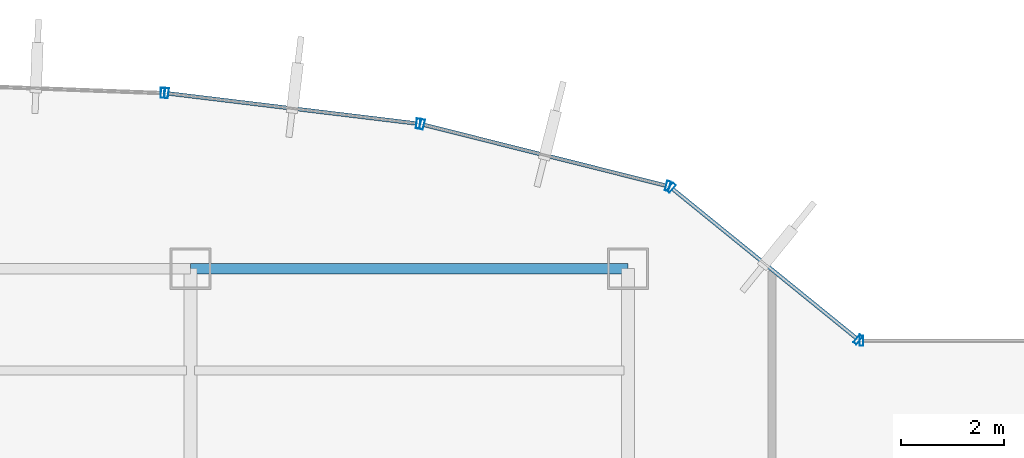
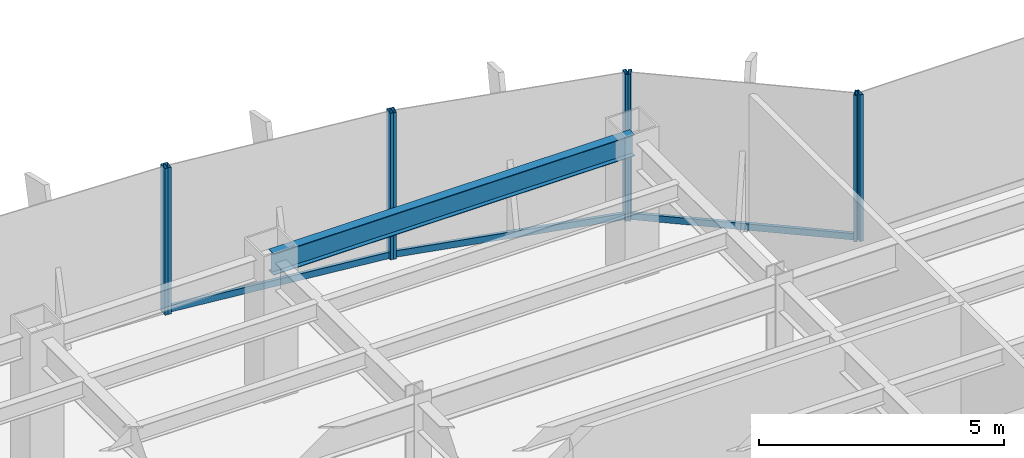
# One storey, part 18 of 26: 11 members, 1 beam, 5 elements without a shape of their own.
"""IFC4 building model written with IfcOpenShell, lengths in metres."""

from ifc_helpers import new_model, si_unit, derived_unit, direction, frame, origin, origin_2d, place, context, subcontext, project, spatial, hollow_rectangle, i_section, extrude, source, transform, mapped, material, material_profile, profile_set, type_object, element, aggregate, save


model = new_model("IFC4")

# Units and contexts
model_context = context("Model", 3, precision=1e-05, world=origin(), true_north=direction((0.0, 1.0)))
body_context = subcontext(model_context, "Body", "Model", "MODEL_VIEW")
ifc_project = project(units=[si_unit("LENGTHUNIT", "METRE"), si_unit("AREAUNIT", "SQUARE_METRE"), si_unit("VOLUMEUNIT", "CUBIC_METRE"), si_unit("PLANEANGLEUNIT", "RADIAN"), si_unit("MASSUNIT", "GRAM", prefix="KILO"), derived_unit("THERMALTRANSMITTANCEUNIT", [(si_unit("POWERUNIT", "WATT"), 1), (si_unit("LENGTHUNIT", "METRE"), -2), (si_unit("THERMODYNAMICTEMPERATUREUNIT", "KELVIN"), -1)])], contexts=[model_context])

# Site, building, storey
site_placement = place(None, origin())
site = spatial("IfcSite", under=ifc_project, at=site_placement, CompositionType="ELEMENT")
building_placement = place(site_placement, origin())
building = spatial("IfcBuilding", under=site, at=building_placement, Name="Skarnbrae Concourse Arena and Tower", CompositionType="ELEMENT")
storey_placement = place(building_placement, frame((0.0, 0.0, 95.949951171875)))
storey = spatial("IfcBuildingStorey", under=building, at=storey_placement, Name="L23", CompositionType="ELEMENT", Elevation=95.949951171875)

# Beam
ifc_material_1 = material(Name="Steel CSA G40.21 350W", Category="steel")
ifc_material_profile_1 = material_profile(ifc_material_1, i_section(OverallWidth=0.208984375, OverallDepth=0.532958984375, WebThickness=0.01025390625, FlangeThickness=0.015625, at=origin_2d()), Name="W530X92")
ifc_profile_set_1 = profile_set([ifc_material_profile_1], Name="Steel CSA G40.21 350W")
beam_type = type_object("IfcBeamType", Name="BM-SPAN-W530X92", PredefinedType="SPANDREL", material=ifc_profile_set_1)
shared_shape_1 = source(origin(), body_context, "Body", "SweptSolid", [
    extrude(i_section(OverallWidth=0.208984375, OverallDepth=0.532958984375, WebThickness=0.01025390625, FlangeThickness=0.015625, at=origin_2d()), origin(), (0.0, 0.0, 1.0), 8.5),
])
beam_placement = place(storey_placement, frame((33.5, 40.39990234375, 3.133544921875), z_axis=(1.0, 0.0, 0.0), x_axis=(0.0, 1.0, 0.0)))
element("IfcBeam", 1, at=beam_placement, inside=storey, type_object=beam_type, Name="L23 Perimeter spandrel Y40.4-4", PredefinedType="SPANDREL", context=body_context, shape_type="MappedRepresentation", body=[
    mapped(shared_shape_1, transform((0.0, 0.0, 0.0))),
])

# Curtain wall, member
ifc_material_2 = material(Name="Bronze anodised aluminium 6063-T6", Category="aluminium")
curtain_wall_type = type_object("IfcCurtainWallType", Name="CW-SYS-04-MIDZONE", PredefinedType="USERDEFINED", material=ifc_material_2)
curtain_wall_1_placement = place(storey_placement, origin())
curtain_wall_1 = element("IfcCurtainWall", 2, at=curtain_wall_1_placement, inside=storey, type_object=curtain_wall_type, Name="L23 Unitised curtain wall CW-L23-E07", ObjectType="UNITISED CURTAIN WALL", PredefinedType="USERDEFINED")
ifc_material_profile_2 = material_profile(ifc_material_2, hollow_rectangle(XDim=0.074951171875, YDim=0.195068359375, WallThickness=0.00439453125, at=origin_2d()), Name="ALU-MULL-75X195")
ifc_profile_set_2 = profile_set([ifc_material_profile_2], Name="Bronze anodised aluminium 6063-T6")
member_type_1 = type_object("IfcMemberType", Name="CWM-CW-04", PredefinedType="MULLION", material=ifc_profile_set_2)
shared_shape_2 = source(origin(), body_context, "Body", "SweptSolid", [
    extrude(hollow_rectangle(XDim=0.074951171875, YDim=0.195068359375, WallThickness=0.00439453125, at=origin_2d()), origin(), (0.0, 0.0, 1.0), 3.650146484375),
])
member_1_placement = place(storey_placement, frame((46.53759765625, 39.0, 0.0), z_axis=(0.0, 0.0, 1.0), x_axis=(-1.0, 0.0, 0.0)))
member_1 = element("IfcMember", 3, at=member_1_placement, type_object=member_type_1, Name="CW-L23-E07 Mullion 2", PredefinedType="MULLION", context=body_context, shape_type="MappedRepresentation", body=[
    mapped(shared_shape_2, transform((0.0, 0.0, 0.0))),
])
aggregate(curtain_wall_1, [member_1])

# Curtain wall, members
curtain_wall_2_placement = place(storey_placement, origin())
curtain_wall_2 = element("IfcCurtainWall", 4, at=curtain_wall_2_placement, inside=storey, type_object=curtain_wall_type, Name="L23 Unitised curtain wall CW-L23-E08", ObjectType="UNITISED CURTAIN WALL", PredefinedType="USERDEFINED")
member_2_placement = place(storey_placement, frame((46.470947265625, 39.023681640625, 0.0), z_axis=(0.0, 0.0, 1.0), x_axis=(-0.776241200471, 0.630436038542, 0.0)))
member_2 = element("IfcMember", 5, at=member_2_placement, type_object=member_type_1, Name="CW-L23-E08 Mullion 1", PredefinedType="MULLION", context=body_context, shape_type="MappedRepresentation", body=[
    mapped(shared_shape_2, transform((0.0, 0.0, 0.0))),
])
member_3_placement = place(storey_placement, frame((42.840087890625, 41.972412109375, 0.0), z_axis=(0.0, 0.0, 1.0), x_axis=(-0.776241200471, 0.630436038542, 0.0)))
member_3 = element("IfcMember", 6, at=member_3_placement, type_object=member_type_1, Name="CW-L23-E08 Mullion 2", PredefinedType="MULLION", context=body_context, shape_type="MappedRepresentation", body=[
    mapped(shared_shape_2, transform((0.0, 0.0, 0.0))),
])

curtain_wall_3_placement = place(storey_placement, origin())
curtain_wall_3 = element("IfcCurtainWall", 7, at=curtain_wall_3_placement, inside=storey, type_object=curtain_wall_type, Name="L23 Unitised curtain wall CW-L23-E09", ObjectType="UNITISED CURTAIN WALL", PredefinedType="USERDEFINED")
member_4_placement = place(storey_placement, frame((42.774658203125, 42.005126953125, 0.0), z_axis=(0.0, 0.0, 1.0), x_axis=(-0.969903046166, 0.243491439351, 0.0)))
member_4 = element("IfcMember", 8, at=member_4_placement, type_object=member_type_1, Name="CW-L23-E09 Mullion 1", PredefinedType="MULLION", context=body_context, shape_type="MappedRepresentation", body=[
    mapped(shared_shape_2, transform((0.0, 0.0, 0.0))),
])
member_5_placement = place(storey_placement, frame((38.00048828125, 43.20361328125, 0.0), z_axis=(0.0, 0.0, 1.0), x_axis=(-0.969903046166, 0.243491439351, 0.0)))
member_5 = element("IfcMember", 9, at=member_5_placement, type_object=member_type_1, Name="CW-L23-E09 Mullion 2", PredefinedType="MULLION", context=body_context, shape_type="MappedRepresentation", body=[
    mapped(shared_shape_2, transform((0.0, 0.0, 0.0))),
])

curtain_wall_4_placement = place(storey_placement, origin())
curtain_wall_4 = element("IfcCurtainWall", 10, at=curtain_wall_4_placement, inside=storey, type_object=curtain_wall_type, Name="L23 Unitised curtain wall CW-L23-E10", ObjectType="UNITISED CURTAIN WALL", PredefinedType="USERDEFINED")
member_6_placement = place(storey_placement, frame((37.927001953125, 43.21728515625, 0.0), z_axis=(0.0, 0.0, 1.0), x_axis=(-0.992749371969, 0.120202680731, 0.0)))
member_6 = element("IfcMember", 11, at=member_6_placement, type_object=member_type_1, Name="CW-L23-E10 Mullion 1", PredefinedType="MULLION", context=body_context, shape_type="MappedRepresentation", body=[
    mapped(shared_shape_2, transform((0.0, 0.0, 0.0))),
])
member_7_placement = place(storey_placement, frame((33.0361328125, 43.8095703125, 0.0), z_axis=(0.0, 0.0, 1.0), x_axis=(-0.992749371969, 0.120202680731, 0.0)))
member_7 = element("IfcMember", 12, at=member_7_placement, type_object=member_type_1, Name="CW-L23-E10 Mullion 2", PredefinedType="MULLION", context=body_context, shape_type="MappedRepresentation", body=[
    mapped(shared_shape_2, transform((0.0, 0.0, 0.0))),
])

# Curtain wall, member
curtain_wall_5_placement = place(storey_placement, origin())
curtain_wall_5 = element("IfcCurtainWall", 13, at=curtain_wall_5_placement, inside=storey, type_object=curtain_wall_type, Name="L23 Unitised curtain wall CW-L23-E11", ObjectType="UNITISED CURTAIN WALL", PredefinedType="USERDEFINED")
member_8_placement = place(storey_placement, frame((32.96142578125, 43.8154296875, 0.0), z_axis=(0.0, 0.0, 1.0), x_axis=(-0.999308486252, 0.037182647889, 0.0)))
member_8 = element("IfcMember", 14, at=member_8_placement, type_object=member_type_1, Name="CW-L23-E11 Mullion 1", PredefinedType="MULLION", context=body_context, shape_type="MappedRepresentation", body=[
    mapped(shared_shape_2, transform((0.0, 0.0, 0.0))),
])
aggregate(curtain_wall_5, [member_8])

# Member
ifc_material_profile_3 = material_profile(ifc_material_2, hollow_rectangle(XDim=0.074951171875, YDim=0.159912109375, WallThickness=0.00439453125, at=origin_2d()), Name="ALU-TRAN-75X160")
ifc_profile_set_3 = profile_set([ifc_material_profile_3], Name="Bronze anodised aluminium 6063-T6")
member_type_2 = type_object("IfcMemberType", Name="CWT-CW-04", PredefinedType="USERDEFINED", material=ifc_profile_set_3)
shared_shape_3 = source(origin(), body_context, "Body", "SweptSolid", [
    extrude(hollow_rectangle(XDim=0.074951171875, YDim=0.159912109375, WallThickness=0.00439453125, at=origin_2d()), origin(), (0.0, 0.0, 1.0), 4.602294921875),
])
member_9_placement = place(storey_placement, frame((46.44189453125, 39.04736328125, 0.080078125), z_axis=(-0.776251906445, 0.630422856297, 0.0), x_axis=(-0.630422856297, -0.776251906445, 0.0)))
member_9 = element("IfcMember", 15, at=member_9_placement, type_object=member_type_2, Name="CW-L23-E08 Transom 1", ObjectType="TRANSOM", PredefinedType="USERDEFINED", context=body_context, shape_type="MappedRepresentation", body=[
    mapped(shared_shape_3, transform((0.0, 0.0, 0.0))),
])

aggregate(curtain_wall_2, [member_2, member_3, member_9])

shared_shape_4 = source(origin(), body_context, "Body", "SweptSolid", [
    extrude(hollow_rectangle(XDim=0.074951171875, YDim=0.159912109375, WallThickness=0.00439453125, at=origin_2d()), origin(), (0.0, 0.0, 1.0), 4.84716796875),
])
member_10_placement = place(storey_placement, frame((42.73828125, 42.014404296875, 0.080078125), z_axis=(-0.969907992238, 0.243471736744, 0.0), x_axis=(-0.243471736744, -0.969907992238, 0.0)))
member_10 = element("IfcMember", 16, at=member_10_placement, type_object=member_type_2, Name="CW-L23-E09 Transom 1", ObjectType="TRANSOM", PredefinedType="USERDEFINED", context=body_context, shape_type="MappedRepresentation", body=[
    mapped(shared_shape_4, transform((0.0, 0.0, 0.0))),
])

aggregate(curtain_wall_3, [member_4, member_5, member_10])

shared_shape_5 = source(origin(), body_context, "Body", "SweptSolid", [
    extrude(hollow_rectangle(XDim=0.074951171875, YDim=0.159912109375, WallThickness=0.00439453125, at=origin_2d()), origin(), (0.0, 0.0, 1.0), 4.851318359375),
])
member_11_placement = place(storey_placement, frame((37.8896484375, 43.2216796875, 0.080078125), z_axis=(-0.992746710317, 0.120224661172, 0.0), x_axis=(-0.120224661172, -0.992746710317, 0.0)))
member_11 = element("IfcMember", 17, at=member_11_placement, type_object=member_type_2, Name="CW-L23-E10 Transom 1", ObjectType="TRANSOM", PredefinedType="USERDEFINED", context=body_context, shape_type="MappedRepresentation", body=[
    mapped(shared_shape_5, transform((0.0, 0.0, 0.0))),
])

aggregate(curtain_wall_4, [member_6, member_7, member_11])

save(model, "model.ifc")
